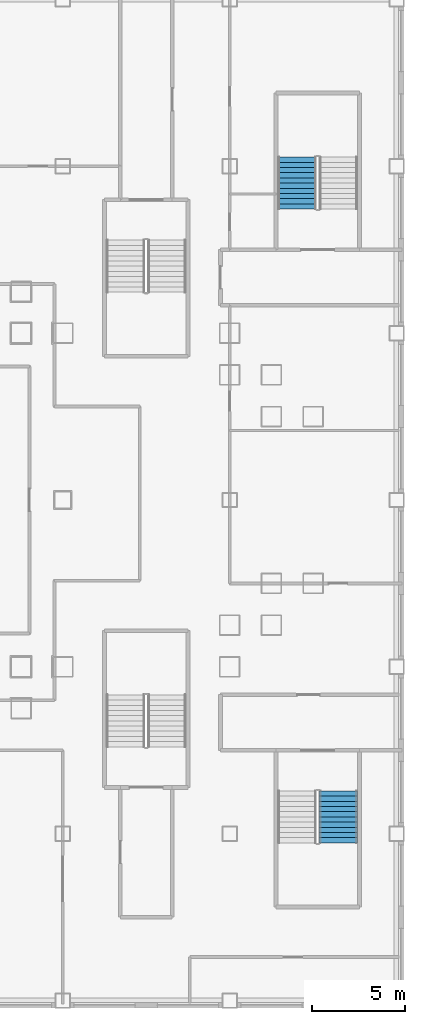
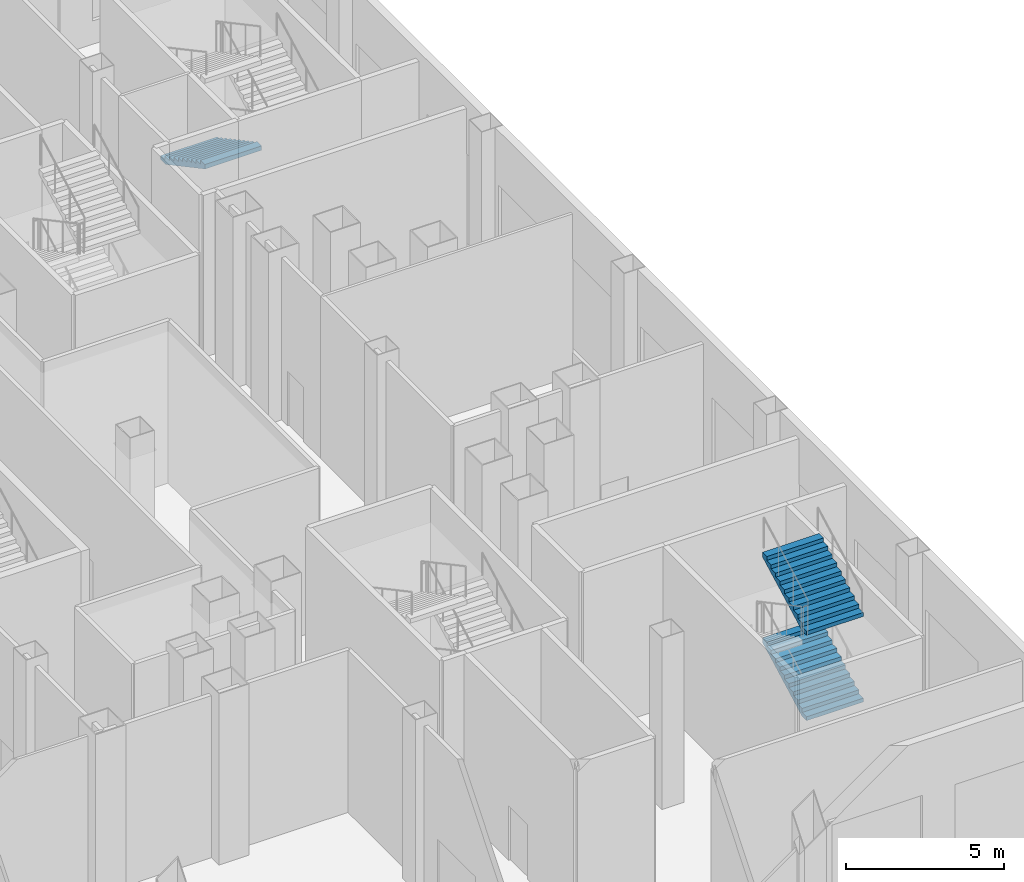
# One storey, part 19 of 26: 3 stair flights, 2 elements without a shape of their own.
"""IFC4 building model written with IfcOpenShell, lengths in metres."""

from ifc_helpers import new_model, si_unit, direction, frame, origin, place, context, subcontext, project, spatial, polygons, material, type_object, element, aggregate, save


model = new_model("IFC4")

# Units and contexts
model_context = context("Model", 3, precision=1e-05, world=origin(), true_north=direction((0.0, 1.0)))
body_context = subcontext(model_context, "Body", "Model", "MODEL_VIEW")
ifc_project = project(units=[si_unit("LENGTHUNIT", "METRE"), si_unit("AREAUNIT", "SQUARE_METRE"), si_unit("VOLUMEUNIT", "CUBIC_METRE"), si_unit("PLANEANGLEUNIT", "RADIAN"), si_unit("MASSUNIT", "GRAM", prefix="KILO")], contexts=[model_context])

# Site, building, storey
site_placement = place(None, origin())
site = spatial("IfcSite", under=ifc_project, at=site_placement, CompositionType="ELEMENT")
building_placement = place(site_placement, origin())
building = spatial("IfcBuilding", under=site, at=building_placement, Name="Caravel Reach Hotel and Residences", CompositionType="ELEMENT")
storey_placement = place(building_placement, frame((0.0, 0.0, 17.39990234375)))
storey = spatial("IfcBuildingStorey", under=building, at=storey_placement, Name="L03", CompositionType="ELEMENT", Elevation=17.39990234375)

# Stair, stair flight
ifc_material_1 = material(Name="Concrete C40", Category="concrete")
stair_type = type_object("IfcStairType", Name="Core stair", PredefinedType="HALF_TURN_STAIR", material=ifc_material_1)
stair_1_placement = place(storey_placement, origin())
stair_1 = element("IfcStair", 1, at=stair_1_placement, inside=storey, type_object=stair_type, Name="L03 Exit stair P6", PredefinedType="HALF_TURN_STAIR")
ifc_material_2 = material(Name="Concrete C40", Category="concrete")
stair_flight_type = type_object("IfcStairFlightType", Name="Core stair flight", PredefinedType="STRAIGHT", material=ifc_material_2)
stair_flight_1_placement = place(storey_placement, frame((62.139892578125, 45.489990234375, 1.650146484375), z_axis=(0.0, 0.0, 1.0), x_axis=(0.0, -1.0, 0.0)))
stair_flight_1 = element("IfcStairFlight", 2, at=stair_flight_1_placement, type_object=stair_flight_type, Name="ST-P6 flight 2", NumberOfRisers=11, NumberOfTreads=10, PredefinedType="STRAIGHT", RiserHeight=0.15, TreadLength=0.28, context=body_context, shape_type="Tessellation", body=[
    polygons([(0.3174408016601862, 1.0350341796875, 0.0), (0.3174408016601862, 0.6900227864583333, 0.0), (0.3174408016601862, 0.34501139322916663, 0.0), (0.3174408016601862, 0.0, 0.0), (0.3174408016601862, -0.34501139322916674, 0.0), (0.3174408016601862, -0.6900227864583333, 0.0), (0.3174408016601862, -1.0350341796875, 0.0), (2.801, 1.0350341796875, 1.329942427682043), (2.801, 0.6900227864583333, 1.329942427682043), (2.801, 0.34501139322916663, 1.329942427682043), (2.801, 0.0, 1.329942427682043), (2.801, -0.34501139322916674, 1.329942427682043), (2.801, -0.6900227864583333, 1.329942427682043), (2.801, -1.0350341796875, 1.329942427682043), (2.801, 1.0350341796875, 1.5), (2.801, 0.6900227864583333, 1.5), (2.801, 0.34501139322916663, 1.5), (2.801, 0.0, 1.5), (2.801, -0.34501139322916674, 1.5), (2.801, -0.6900227864583333, 1.5), (2.801, -1.0350341796875, 1.5), (2.5200000000000005, 1.0350341796875, 1.5), (2.5200000000000005, 0.6900227864583333, 1.5), (2.5200000000000005, 0.34501139322916663, 1.5), (2.5200000000000005, 0.0, 1.5), (2.5200000000000005, -0.34501139322916674, 1.5), (2.5200000000000005, -0.6900227864583333, 1.5), (2.5200000000000005, -1.0350341796875, 1.5), (2.5200000000000005, 1.0350341796875, 1.3499999999999999), (2.5200000000000005, 0.6900227864583333, 1.3499999999999999), (2.5200000000000005, 0.34501139322916663, 1.3499999999999999), (2.5200000000000005, 0.0, 1.3499999999999999), (2.5200000000000005, -0.34501139322916674, 1.3499999999999999), (2.5200000000000005, -0.6900227864583333, 1.3499999999999999), (2.5200000000000005, -1.0350341796875, 1.3499999999999999), (2.24, 1.0350341796875, 1.3499999999999999), (2.24, 0.6900227864583333, 1.3499999999999999), (2.24, 0.34501139322916663, 1.3499999999999999), (2.24, 0.0, 1.3499999999999999), (2.24, -0.34501139322916674, 1.3499999999999999), (2.24, -0.6900227864583333, 1.3499999999999999), (2.24, -1.0350341796875, 1.3499999999999999), (2.24, 1.0350341796875, 1.2), (2.24, 0.6900227864583333, 1.2), (2.24, 0.34501139322916663, 1.2), (2.24, 0.0, 1.2), (2.24, -0.34501139322916674, 1.2), (2.24, -0.6900227864583333, 1.2), (2.24, -1.0350341796875, 1.2), (1.9600000000000002, 1.0350341796875, 1.2), (1.9600000000000002, 0.6900227864583333, 1.2), (1.9600000000000002, 0.34501139322916663, 1.2), (1.9600000000000002, 0.0, 1.2), (1.9600000000000002, -0.34501139322916674, 1.2), (1.9600000000000002, -0.6900227864583333, 1.2), (1.9600000000000002, -1.0350341796875, 1.2), (1.9600000000000002, 1.0350341796875, 1.05), (1.9600000000000002, 0.6900227864583333, 1.05), (1.9600000000000002, 0.34501139322916663, 1.05), (1.9600000000000002, 0.0, 1.05), (1.9600000000000002, -0.34501139322916674, 1.05), (1.9600000000000002, -0.6900227864583333, 1.05), (1.9600000000000002, -1.0350341796875, 1.05), (1.6800000000000002, 1.0350341796875, 1.05), (1.6800000000000002, 0.6900227864583333, 1.05), (1.6800000000000002, 0.34501139322916663, 1.05), (1.6800000000000002, 0.0, 1.05), (1.6800000000000002, -0.34501139322916674, 1.05), (1.6800000000000002, -0.6900227864583333, 1.05), (1.6800000000000002, -1.0350341796875, 1.05), (1.6800000000000002, 1.0350341796875, 0.8999999999999999), (1.6800000000000002, 0.6900227864583333, 0.8999999999999999), (1.6800000000000002, 0.34501139322916663, 0.8999999999999999), (1.6800000000000002, 0.0, 0.8999999999999999), (1.6800000000000002, -0.34501139322916674, 0.8999999999999999), (1.6800000000000002, -0.6900227864583333, 0.8999999999999999), (1.6800000000000002, -1.0350341796875, 0.8999999999999999), (1.4000000000000001, 1.0350341796875, 0.8999999999999999), (1.4000000000000001, 0.6900227864583333, 0.8999999999999999), (1.4000000000000001, 0.34501139322916663, 0.8999999999999999), (1.4000000000000001, 0.0, 0.8999999999999999), (1.4000000000000001, -0.34501139322916674, 0.8999999999999999), (1.4000000000000001, -0.6900227864583333, 0.8999999999999999), (1.4000000000000001, -1.0350341796875, 0.8999999999999999), (1.4000000000000001, 1.0350341796875, 0.75), (1.4000000000000001, 0.6900227864583333, 0.75), (1.4000000000000001, 0.34501139322916663, 0.75), (1.4000000000000001, 0.0, 0.75), (1.4000000000000001, -0.34501139322916674, 0.75), (1.4000000000000001, -0.6900227864583333, 0.75), (1.4000000000000001, -1.0350341796875, 0.75), (1.12, 1.0350341796875, 0.75), (1.12, 0.6900227864583333, 0.75), (1.12, 0.34501139322916663, 0.75), (1.12, 0.0, 0.75), (1.12, -0.34501139322916674, 0.75), (1.12, -0.6900227864583333, 0.75), (1.12, -1.0350341796875, 0.75), (1.12, 1.0350341796875, 0.6), (1.12, 0.6900227864583333, 0.6), (1.12, 0.34501139322916663, 0.6), (1.12, 0.0, 0.6), (1.12, -0.34501139322916674, 0.6), (1.12, -0.6900227864583333, 0.6), (1.12, -1.0350341796875, 0.6), (0.8400000000000001, 1.0350341796875, 0.6), (0.8400000000000001, 0.6900227864583333, 0.6), (0.8400000000000001, 0.34501139322916663, 0.6), (0.8400000000000001, 0.0, 0.6), (0.8400000000000001, -0.34501139322916674, 0.6), (0.8400000000000001, -0.6900227864583333, 0.6), (0.8400000000000001, -1.0350341796875, 0.6), (0.8400000000000001, 1.0350341796875, 0.44999999999999996), (0.8400000000000001, 0.6900227864583333, 0.44999999999999996), (0.8400000000000001, 0.34501139322916663, 0.44999999999999996), (0.8400000000000001, 0.0, 0.44999999999999996), (0.8400000000000001, -0.34501139322916674, 0.44999999999999996), (0.8400000000000001, -0.6900227864583333, 0.44999999999999996), (0.8400000000000001, -1.0350341796875, 0.44999999999999996), (0.56, 1.0350341796875, 0.44999999999999996), (0.56, 0.6900227864583333, 0.44999999999999996), (0.56, 0.34501139322916663, 0.44999999999999996), (0.56, 0.0, 0.44999999999999996), (0.56, -0.34501139322916674, 0.44999999999999996), (0.56, -0.6900227864583333, 0.44999999999999996), (0.56, -1.0350341796875, 0.44999999999999996), (0.56, 1.0350341796875, 0.3), (0.56, 0.6900227864583333, 0.3), (0.56, 0.34501139322916663, 0.3), (0.56, 0.0, 0.3), (0.56, -0.34501139322916674, 0.3), (0.56, -0.6900227864583333, 0.3), (0.56, -1.0350341796875, 0.3), (0.28, 1.0350341796875, 0.3), (0.28, 0.6900227864583333, 0.3), (0.28, 0.34501139322916663, 0.3), (0.28, 0.0, 0.3), (0.28, -0.34501139322916674, 0.3), (0.28, -0.6900227864583333, 0.3), (0.28, -1.0350341796875, 0.3), (0.28, 1.0350341796875, 0.15), (0.28, 0.6900227864583333, 0.15), (0.28, 0.34501139322916663, 0.15), (0.28, 0.0, 0.15), (0.28, -0.34501139322916674, 0.15), (0.28, -0.6900227864583333, 0.15), (0.28, -1.0350341796875, 0.15), (-0.001, 1.0350341796875, 0.15), (-0.001, 0.6900227864583333, 0.15), (-0.001, 0.34501139322916663, 0.15), (-0.001, 0.0, 0.15), (-0.001, -0.34501139322916674, 0.15), (-0.001, -0.6900227864583333, 0.15), (-0.001, -1.0350341796875, 0.15), (-0.001, 1.0350341796875, 0.0), (-0.001, 0.6900227864583333, 0.0), (-0.001, 0.34501139322916663, 0.0), (-0.001, 0.0, 0.0), (-0.001, -0.34501139322916674, 0.0), (-0.001, -0.6900227864583333, 0.0), (-0.001, -1.0350341796875, 0.0)], [[[155, 148, 141, 134, 127, 120, 113, 106, 99, 92, 85, 78, 71, 64, 57, 50, 43, 36, 29, 22, 15, 8, 1]], [[7, 14, 21, 28, 35, 42, 49, 56, 63, 70, 77, 84, 91, 98, 105, 112, 119, 126, 133, 140, 147, 154, 161]], [[1, 8, 9, 2]], [[2, 9, 10, 3]], [[3, 10, 11, 4]], [[4, 11, 12, 5]], [[5, 12, 13, 6]], [[6, 13, 14, 7]], [[8, 15, 16, 9]], [[9, 16, 17, 10]], [[10, 17, 18, 11]], [[11, 18, 19, 12]], [[12, 19, 20, 13]], [[13, 20, 21, 14]], [[15, 22, 23, 16]], [[16, 23, 24, 17]], [[17, 24, 25, 18]], [[18, 25, 26, 19]], [[19, 26, 27, 20]], [[20, 27, 28, 21]], [[22, 29, 30, 23]], [[23, 30, 31, 24]], [[24, 31, 32, 25]], [[25, 32, 33, 26]], [[26, 33, 34, 27]], [[27, 34, 35, 28]], [[29, 36, 37, 30]], [[30, 37, 38, 31]], [[31, 38, 39, 32]], [[32, 39, 40, 33]], [[33, 40, 41, 34]], [[34, 41, 42, 35]], [[36, 43, 44, 37]], [[37, 44, 45, 38]], [[38, 45, 46, 39]], [[39, 46, 47, 40]], [[40, 47, 48, 41]], [[41, 48, 49, 42]], [[43, 50, 51, 44]], [[44, 51, 52, 45]], [[45, 52, 53, 46]], [[46, 53, 54, 47]], [[47, 54, 55, 48]], [[48, 55, 56, 49]], [[50, 57, 58, 51]], [[51, 58, 59, 52]], [[52, 59, 60, 53]], [[53, 60, 61, 54]], [[54, 61, 62, 55]], [[55, 62, 63, 56]], [[57, 64, 65, 58]], [[58, 65, 66, 59]], [[59, 66, 67, 60]], [[60, 67, 68, 61]], [[61, 68, 69, 62]], [[62, 69, 70, 63]], [[64, 71, 72, 65]], [[65, 72, 73, 66]], [[66, 73, 74, 67]], [[67, 74, 75, 68]], [[68, 75, 76, 69]], [[69, 76, 77, 70]], [[71, 78, 79, 72]], [[72, 79, 80, 73]], [[73, 80, 81, 74]], [[74, 81, 82, 75]], [[75, 82, 83, 76]], [[76, 83, 84, 77]], [[78, 85, 86, 79]], [[79, 86, 87, 80]], [[80, 87, 88, 81]], [[81, 88, 89, 82]], [[82, 89, 90, 83]], [[83, 90, 91, 84]], [[85, 92, 93, 86]], [[86, 93, 94, 87]], [[87, 94, 95, 88]], [[88, 95, 96, 89]], [[89, 96, 97, 90]], [[90, 97, 98, 91]], [[92, 99, 100, 93]], [[93, 100, 101, 94]], [[94, 101, 102, 95]], [[95, 102, 103, 96]], [[96, 103, 104, 97]], [[97, 104, 105, 98]], [[99, 106, 107, 100]], [[100, 107, 108, 101]], [[101, 108, 109, 102]], [[102, 109, 110, 103]], [[103, 110, 111, 104]], [[104, 111, 112, 105]], [[106, 113, 114, 107]], [[107, 114, 115, 108]], [[108, 115, 116, 109]], [[109, 116, 117, 110]], [[110, 117, 118, 111]], [[111, 118, 119, 112]], [[113, 120, 121, 114]], [[114, 121, 122, 115]], [[115, 122, 123, 116]], [[116, 123, 124, 117]], [[117, 124, 125, 118]], [[118, 125, 126, 119]], [[120, 127, 128, 121]], [[121, 128, 129, 122]], [[122, 129, 130, 123]], [[123, 130, 131, 124]], [[124, 131, 132, 125]], [[125, 132, 133, 126]], [[127, 134, 135, 128]], [[128, 135, 136, 129]], [[129, 136, 137, 130]], [[130, 137, 138, 131]], [[131, 138, 139, 132]], [[132, 139, 140, 133]], [[134, 141, 142, 135]], [[135, 142, 143, 136]], [[136, 143, 144, 137]], [[137, 144, 145, 138]], [[138, 145, 146, 139]], [[139, 146, 147, 140]], [[141, 148, 149, 142]], [[142, 149, 150, 143]], [[143, 150, 151, 144]], [[144, 151, 152, 145]], [[145, 152, 153, 146]], [[146, 153, 154, 147]], [[148, 155, 156, 149]], [[149, 156, 157, 150]], [[150, 157, 158, 151]], [[151, 158, 159, 152]], [[152, 159, 160, 153]], [[153, 160, 161, 154]], [[155, 1, 2, 156]], [[156, 2, 3, 157]], [[157, 3, 4, 158]], [[158, 4, 5, 159]], [[159, 5, 6, 160]], [[160, 6, 7, 161]]], closed=True),
])
aggregate(stair_1, [stair_flight_1])

# Stair, stair flights
stair_2_placement = place(storey_placement, origin())
stair_2 = element("IfcStair", 3, at=stair_2_placement, inside=storey, type_object=stair_type, Name="L03 Exit stair P7", PredefinedType="HALF_TURN_STAIR")
stair_flight_2_placement = place(storey_placement, frame((64.360107421875, 8.510009765625, 1.650146484375), z_axis=(0.0, 0.0, 1.0), x_axis=(0.0, 1.0, 0.0)))
stair_flight_2 = element("IfcStairFlight", 4, at=stair_flight_2_placement, type_object=stair_flight_type, Name="ST-P7 flight 2", NumberOfRisers=11, NumberOfTreads=10, PredefinedType="STRAIGHT", RiserHeight=0.15, TreadLength=0.28, context=body_context, shape_type="Tessellation", body=[
    polygons([(0.3174408016601862, 1.0350341796875, 0.0), (0.3174408016601862, 0.6900227864583333, 0.0), (0.3174408016601862, 0.34501139322916663, 0.0), (0.3174408016601862, 0.0, 0.0), (0.3174408016601862, -0.34501139322916674, 0.0), (0.3174408016601862, -0.6900227864583333, 0.0), (0.3174408016601862, -1.0350341796875, 0.0), (2.801, 1.0350341796875, 1.329942427682043), (2.801, 0.6900227864583333, 1.329942427682043), (2.801, 0.34501139322916663, 1.329942427682043), (2.801, 0.0, 1.329942427682043), (2.801, -0.34501139322916674, 1.329942427682043), (2.801, -0.6900227864583333, 1.329942427682043), (2.801, -1.0350341796875, 1.329942427682043), (2.801, 1.0350341796875, 1.5), (2.801, 0.6900227864583333, 1.5), (2.801, 0.34501139322916663, 1.5), (2.801, 0.0, 1.5), (2.801, -0.34501139322916674, 1.5), (2.801, -0.6900227864583333, 1.5), (2.801, -1.0350341796875, 1.5), (2.5200000000000005, 1.0350341796875, 1.5), (2.5200000000000005, 0.6900227864583333, 1.5), (2.5200000000000005, 0.34501139322916663, 1.5), (2.5200000000000005, 0.0, 1.5), (2.5200000000000005, -0.34501139322916674, 1.5), (2.5200000000000005, -0.6900227864583333, 1.5), (2.5200000000000005, -1.0350341796875, 1.5), (2.5200000000000005, 1.0350341796875, 1.3499999999999999), (2.5200000000000005, 0.6900227864583333, 1.3499999999999999), (2.5200000000000005, 0.34501139322916663, 1.3499999999999999), (2.5200000000000005, 0.0, 1.3499999999999999), (2.5200000000000005, -0.34501139322916674, 1.3499999999999999), (2.5200000000000005, -0.6900227864583333, 1.3499999999999999), (2.5200000000000005, -1.0350341796875, 1.3499999999999999), (2.24, 1.0350341796875, 1.3499999999999999), (2.24, 0.6900227864583333, 1.3499999999999999), (2.24, 0.34501139322916663, 1.3499999999999999), (2.24, 0.0, 1.3499999999999999), (2.24, -0.34501139322916674, 1.3499999999999999), (2.24, -0.6900227864583333, 1.3499999999999999), (2.24, -1.0350341796875, 1.3499999999999999), (2.24, 1.0350341796875, 1.2), (2.24, 0.6900227864583333, 1.2), (2.24, 0.34501139322916663, 1.2), (2.24, 0.0, 1.2), (2.24, -0.34501139322916674, 1.2), (2.24, -0.6900227864583333, 1.2), (2.24, -1.0350341796875, 1.2), (1.9600000000000002, 1.0350341796875, 1.2), (1.9600000000000002, 0.6900227864583333, 1.2), (1.9600000000000002, 0.34501139322916663, 1.2), (1.9600000000000002, 0.0, 1.2), (1.9600000000000002, -0.34501139322916674, 1.2), (1.9600000000000002, -0.6900227864583333, 1.2), (1.9600000000000002, -1.0350341796875, 1.2), (1.9600000000000002, 1.0350341796875, 1.05), (1.9600000000000002, 0.6900227864583333, 1.05), (1.9600000000000002, 0.34501139322916663, 1.05), (1.9600000000000002, 0.0, 1.05), (1.9600000000000002, -0.34501139322916674, 1.05), (1.9600000000000002, -0.6900227864583333, 1.05), (1.9600000000000002, -1.0350341796875, 1.05), (1.6800000000000002, 1.0350341796875, 1.05), (1.6800000000000002, 0.6900227864583333, 1.05), (1.6800000000000002, 0.34501139322916663, 1.05), (1.6800000000000002, 0.0, 1.05), (1.6800000000000002, -0.34501139322916674, 1.05), (1.6800000000000002, -0.6900227864583333, 1.05), (1.6800000000000002, -1.0350341796875, 1.05), (1.6800000000000002, 1.0350341796875, 0.8999999999999999), (1.6800000000000002, 0.6900227864583333, 0.8999999999999999), (1.6800000000000002, 0.34501139322916663, 0.8999999999999999), (1.6800000000000002, 0.0, 0.8999999999999999), (1.6800000000000002, -0.34501139322916674, 0.8999999999999999), (1.6800000000000002, -0.6900227864583333, 0.8999999999999999), (1.6800000000000002, -1.0350341796875, 0.8999999999999999), (1.4000000000000001, 1.0350341796875, 0.8999999999999999), (1.4000000000000001, 0.6900227864583333, 0.8999999999999999), (1.4000000000000001, 0.34501139322916663, 0.8999999999999999), (1.4000000000000001, 0.0, 0.8999999999999999), (1.4000000000000001, -0.34501139322916674, 0.8999999999999999), (1.4000000000000001, -0.6900227864583333, 0.8999999999999999), (1.4000000000000001, -1.0350341796875, 0.8999999999999999), (1.4000000000000001, 1.0350341796875, 0.75), (1.4000000000000001, 0.6900227864583333, 0.75), (1.4000000000000001, 0.34501139322916663, 0.75), (1.4000000000000001, 0.0, 0.75), (1.4000000000000001, -0.34501139322916674, 0.75), (1.4000000000000001, -0.6900227864583333, 0.75), (1.4000000000000001, -1.0350341796875, 0.75), (1.12, 1.0350341796875, 0.75), (1.12, 0.6900227864583333, 0.75), (1.12, 0.34501139322916663, 0.75), (1.12, 0.0, 0.75), (1.12, -0.34501139322916674, 0.75), (1.12, -0.6900227864583333, 0.75), (1.12, -1.0350341796875, 0.75), (1.12, 1.0350341796875, 0.6), (1.12, 0.6900227864583333, 0.6), (1.12, 0.34501139322916663, 0.6), (1.12, 0.0, 0.6), (1.12, -0.34501139322916674, 0.6), (1.12, -0.6900227864583333, 0.6), (1.12, -1.0350341796875, 0.6), (0.8400000000000001, 1.0350341796875, 0.6), (0.8400000000000001, 0.6900227864583333, 0.6), (0.8400000000000001, 0.34501139322916663, 0.6), (0.8400000000000001, 0.0, 0.6), (0.8400000000000001, -0.34501139322916674, 0.6), (0.8400000000000001, -0.6900227864583333, 0.6), (0.8400000000000001, -1.0350341796875, 0.6), (0.8400000000000001, 1.0350341796875, 0.44999999999999996), (0.8400000000000001, 0.6900227864583333, 0.44999999999999996), (0.8400000000000001, 0.34501139322916663, 0.44999999999999996), (0.8400000000000001, 0.0, 0.44999999999999996), (0.8400000000000001, -0.34501139322916674, 0.44999999999999996), (0.8400000000000001, -0.6900227864583333, 0.44999999999999996), (0.8400000000000001, -1.0350341796875, 0.44999999999999996), (0.56, 1.0350341796875, 0.44999999999999996), (0.56, 0.6900227864583333, 0.44999999999999996), (0.56, 0.34501139322916663, 0.44999999999999996), (0.56, 0.0, 0.44999999999999996), (0.56, -0.34501139322916674, 0.44999999999999996), (0.56, -0.6900227864583333, 0.44999999999999996), (0.56, -1.0350341796875, 0.44999999999999996), (0.56, 1.0350341796875, 0.3), (0.56, 0.6900227864583333, 0.3), (0.56, 0.34501139322916663, 0.3), (0.56, 0.0, 0.3), (0.56, -0.34501139322916674, 0.3), (0.56, -0.6900227864583333, 0.3), (0.56, -1.0350341796875, 0.3), (0.28, 1.0350341796875, 0.3), (0.28, 0.6900227864583333, 0.3), (0.28, 0.34501139322916663, 0.3), (0.28, 0.0, 0.3), (0.28, -0.34501139322916674, 0.3), (0.28, -0.6900227864583333, 0.3), (0.28, -1.0350341796875, 0.3), (0.28, 1.0350341796875, 0.15), (0.28, 0.6900227864583333, 0.15), (0.28, 0.34501139322916663, 0.15), (0.28, 0.0, 0.15), (0.28, -0.34501139322916674, 0.15), (0.28, -0.6900227864583333, 0.15), (0.28, -1.0350341796875, 0.15), (-0.001, 1.0350341796875, 0.15), (-0.001, 0.6900227864583333, 0.15), (-0.001, 0.34501139322916663, 0.15), (-0.001, 0.0, 0.15), (-0.001, -0.34501139322916674, 0.15), (-0.001, -0.6900227864583333, 0.15), (-0.001, -1.0350341796875, 0.15), (-0.001, 1.0350341796875, 0.0), (-0.001, 0.6900227864583333, 0.0), (-0.001, 0.34501139322916663, 0.0), (-0.001, 0.0, 0.0), (-0.001, -0.34501139322916674, 0.0), (-0.001, -0.6900227864583333, 0.0), (-0.001, -1.0350341796875, 0.0)], [[[155, 148, 141, 134, 127, 120, 113, 106, 99, 92, 85, 78, 71, 64, 57, 50, 43, 36, 29, 22, 15, 8, 1]], [[7, 14, 21, 28, 35, 42, 49, 56, 63, 70, 77, 84, 91, 98, 105, 112, 119, 126, 133, 140, 147, 154, 161]], [[1, 8, 9, 2]], [[2, 9, 10, 3]], [[3, 10, 11, 4]], [[4, 11, 12, 5]], [[5, 12, 13, 6]], [[6, 13, 14, 7]], [[8, 15, 16, 9]], [[9, 16, 17, 10]], [[10, 17, 18, 11]], [[11, 18, 19, 12]], [[12, 19, 20, 13]], [[13, 20, 21, 14]], [[15, 22, 23, 16]], [[16, 23, 24, 17]], [[17, 24, 25, 18]], [[18, 25, 26, 19]], [[19, 26, 27, 20]], [[20, 27, 28, 21]], [[22, 29, 30, 23]], [[23, 30, 31, 24]], [[24, 31, 32, 25]], [[25, 32, 33, 26]], [[26, 33, 34, 27]], [[27, 34, 35, 28]], [[29, 36, 37, 30]], [[30, 37, 38, 31]], [[31, 38, 39, 32]], [[32, 39, 40, 33]], [[33, 40, 41, 34]], [[34, 41, 42, 35]], [[36, 43, 44, 37]], [[37, 44, 45, 38]], [[38, 45, 46, 39]], [[39, 46, 47, 40]], [[40, 47, 48, 41]], [[41, 48, 49, 42]], [[43, 50, 51, 44]], [[44, 51, 52, 45]], [[45, 52, 53, 46]], [[46, 53, 54, 47]], [[47, 54, 55, 48]], [[48, 55, 56, 49]], [[50, 57, 58, 51]], [[51, 58, 59, 52]], [[52, 59, 60, 53]], [[53, 60, 61, 54]], [[54, 61, 62, 55]], [[55, 62, 63, 56]], [[57, 64, 65, 58]], [[58, 65, 66, 59]], [[59, 66, 67, 60]], [[60, 67, 68, 61]], [[61, 68, 69, 62]], [[62, 69, 70, 63]], [[64, 71, 72, 65]], [[65, 72, 73, 66]], [[66, 73, 74, 67]], [[67, 74, 75, 68]], [[68, 75, 76, 69]], [[69, 76, 77, 70]], [[71, 78, 79, 72]], [[72, 79, 80, 73]], [[73, 80, 81, 74]], [[74, 81, 82, 75]], [[75, 82, 83, 76]], [[76, 83, 84, 77]], [[78, 85, 86, 79]], [[79, 86, 87, 80]], [[80, 87, 88, 81]], [[81, 88, 89, 82]], [[82, 89, 90, 83]], [[83, 90, 91, 84]], [[85, 92, 93, 86]], [[86, 93, 94, 87]], [[87, 94, 95, 88]], [[88, 95, 96, 89]], [[89, 96, 97, 90]], [[90, 97, 98, 91]], [[92, 99, 100, 93]], [[93, 100, 101, 94]], [[94, 101, 102, 95]], [[95, 102, 103, 96]], [[96, 103, 104, 97]], [[97, 104, 105, 98]], [[99, 106, 107, 100]], [[100, 107, 108, 101]], [[101, 108, 109, 102]], [[102, 109, 110, 103]], [[103, 110, 111, 104]], [[104, 111, 112, 105]], [[106, 113, 114, 107]], [[107, 114, 115, 108]], [[108, 115, 116, 109]], [[109, 116, 117, 110]], [[110, 117, 118, 111]], [[111, 118, 119, 112]], [[113, 120, 121, 114]], [[114, 121, 122, 115]], [[115, 122, 123, 116]], [[116, 123, 124, 117]], [[117, 124, 125, 118]], [[118, 125, 126, 119]], [[120, 127, 128, 121]], [[121, 128, 129, 122]], [[122, 129, 130, 123]], [[123, 130, 131, 124]], [[124, 131, 132, 125]], [[125, 132, 133, 126]], [[127, 134, 135, 128]], [[128, 135, 136, 129]], [[129, 136, 137, 130]], [[130, 137, 138, 131]], [[131, 138, 139, 132]], [[132, 139, 140, 133]], [[134, 141, 142, 135]], [[135, 142, 143, 136]], [[136, 143, 144, 137]], [[137, 144, 145, 138]], [[138, 145, 146, 139]], [[139, 146, 147, 140]], [[141, 148, 149, 142]], [[142, 149, 150, 143]], [[143, 150, 151, 144]], [[144, 151, 152, 145]], [[145, 152, 153, 146]], [[146, 153, 154, 147]], [[148, 155, 156, 149]], [[149, 156, 157, 150]], [[150, 157, 158, 151]], [[151, 158, 159, 152]], [[152, 159, 160, 153]], [[153, 160, 161, 154]], [[155, 1, 2, 156]], [[156, 2, 3, 157]], [[157, 3, 4, 158]], [[158, 4, 5, 159]], [[159, 5, 6, 160]], [[160, 6, 7, 161]]], closed=True),
])
stair_flight_3_placement = place(storey_placement, frame((64.360107421875, 8.510009765625, 4.9501953125), z_axis=(0.0, 0.0, 1.0), x_axis=(0.0, 1.0, 0.0)))
stair_flight_3 = element("IfcStairFlight", 5, at=stair_flight_3_placement, type_object=stair_flight_type, Name="ST-P7 flight 4", NumberOfRisers=11, NumberOfTreads=10, PredefinedType="STRAIGHT", RiserHeight=0.15, TreadLength=0.28, context=body_context, shape_type="Tessellation", body=[
    polygons([(0.3174408016601862, 1.0350341796875, 0.0), (0.3174408016601862, 0.6900227864583333, 0.0), (0.3174408016601862, 0.34501139322916663, 0.0), (0.3174408016601862, 0.0, 0.0), (0.3174408016601862, -0.34501139322916674, 0.0), (0.3174408016601862, -0.6900227864583333, 0.0), (0.3174408016601862, -1.0350341796875, 0.0), (2.801, 1.0350341796875, 1.329942427682043), (2.801, 0.6900227864583333, 1.329942427682043), (2.801, 0.34501139322916663, 1.329942427682043), (2.801, 0.0, 1.329942427682043), (2.801, -0.34501139322916674, 1.329942427682043), (2.801, -0.6900227864583333, 1.329942427682043), (2.801, -1.0350341796875, 1.329942427682043), (2.801, 1.0350341796875, 1.5), (2.801, 0.6900227864583333, 1.5), (2.801, 0.34501139322916663, 1.5), (2.801, 0.0, 1.5), (2.801, -0.34501139322916674, 1.5), (2.801, -0.6900227864583333, 1.5), (2.801, -1.0350341796875, 1.5), (2.5200000000000005, 1.0350341796875, 1.5), (2.5200000000000005, 0.6900227864583333, 1.5), (2.5200000000000005, 0.34501139322916663, 1.5), (2.5200000000000005, 0.0, 1.5), (2.5200000000000005, -0.34501139322916674, 1.5), (2.5200000000000005, -0.6900227864583333, 1.5), (2.5200000000000005, -1.0350341796875, 1.5), (2.5200000000000005, 1.0350341796875, 1.3499999999999999), (2.5200000000000005, 0.6900227864583333, 1.3499999999999999), (2.5200000000000005, 0.34501139322916663, 1.3499999999999999), (2.5200000000000005, 0.0, 1.3499999999999999), (2.5200000000000005, -0.34501139322916674, 1.3499999999999999), (2.5200000000000005, -0.6900227864583333, 1.3499999999999999), (2.5200000000000005, -1.0350341796875, 1.3499999999999999), (2.24, 1.0350341796875, 1.3499999999999999), (2.24, 0.6900227864583333, 1.3499999999999999), (2.24, 0.34501139322916663, 1.3499999999999999), (2.24, 0.0, 1.3499999999999999), (2.24, -0.34501139322916674, 1.3499999999999999), (2.24, -0.6900227864583333, 1.3499999999999999), (2.24, -1.0350341796875, 1.3499999999999999), (2.24, 1.0350341796875, 1.2), (2.24, 0.6900227864583333, 1.2), (2.24, 0.34501139322916663, 1.2), (2.24, 0.0, 1.2), (2.24, -0.34501139322916674, 1.2), (2.24, -0.6900227864583333, 1.2), (2.24, -1.0350341796875, 1.2), (1.9600000000000002, 1.0350341796875, 1.2), (1.9600000000000002, 0.6900227864583333, 1.2), (1.9600000000000002, 0.34501139322916663, 1.2), (1.9600000000000002, 0.0, 1.2), (1.9600000000000002, -0.34501139322916674, 1.2), (1.9600000000000002, -0.6900227864583333, 1.2), (1.9600000000000002, -1.0350341796875, 1.2), (1.9600000000000002, 1.0350341796875, 1.05), (1.9600000000000002, 0.6900227864583333, 1.05), (1.9600000000000002, 0.34501139322916663, 1.05), (1.9600000000000002, 0.0, 1.05), (1.9600000000000002, -0.34501139322916674, 1.05), (1.9600000000000002, -0.6900227864583333, 1.05), (1.9600000000000002, -1.0350341796875, 1.05), (1.6800000000000002, 1.0350341796875, 1.05), (1.6800000000000002, 0.6900227864583333, 1.05), (1.6800000000000002, 0.34501139322916663, 1.05), (1.6800000000000002, 0.0, 1.05), (1.6800000000000002, -0.34501139322916674, 1.05), (1.6800000000000002, -0.6900227864583333, 1.05), (1.6800000000000002, -1.0350341796875, 1.05), (1.6800000000000002, 1.0350341796875, 0.8999999999999999), (1.6800000000000002, 0.6900227864583333, 0.8999999999999999), (1.6800000000000002, 0.34501139322916663, 0.8999999999999999), (1.6800000000000002, 0.0, 0.8999999999999999), (1.6800000000000002, -0.34501139322916674, 0.8999999999999999), (1.6800000000000002, -0.6900227864583333, 0.8999999999999999), (1.6800000000000002, -1.0350341796875, 0.8999999999999999), (1.4000000000000001, 1.0350341796875, 0.8999999999999999), (1.4000000000000001, 0.6900227864583333, 0.8999999999999999), (1.4000000000000001, 0.34501139322916663, 0.8999999999999999), (1.4000000000000001, 0.0, 0.8999999999999999), (1.4000000000000001, -0.34501139322916674, 0.8999999999999999), (1.4000000000000001, -0.6900227864583333, 0.8999999999999999), (1.4000000000000001, -1.0350341796875, 0.8999999999999999), (1.4000000000000001, 1.0350341796875, 0.75), (1.4000000000000001, 0.6900227864583333, 0.75), (1.4000000000000001, 0.34501139322916663, 0.75), (1.4000000000000001, 0.0, 0.75), (1.4000000000000001, -0.34501139322916674, 0.75), (1.4000000000000001, -0.6900227864583333, 0.75), (1.4000000000000001, -1.0350341796875, 0.75), (1.12, 1.0350341796875, 0.75), (1.12, 0.6900227864583333, 0.75), (1.12, 0.34501139322916663, 0.75), (1.12, 0.0, 0.75), (1.12, -0.34501139322916674, 0.75), (1.12, -0.6900227864583333, 0.75), (1.12, -1.0350341796875, 0.75), (1.12, 1.0350341796875, 0.6), (1.12, 0.6900227864583333, 0.6), (1.12, 0.34501139322916663, 0.6), (1.12, 0.0, 0.6), (1.12, -0.34501139322916674, 0.6), (1.12, -0.6900227864583333, 0.6), (1.12, -1.0350341796875, 0.6), (0.8400000000000001, 1.0350341796875, 0.6), (0.8400000000000001, 0.6900227864583333, 0.6), (0.8400000000000001, 0.34501139322916663, 0.6), (0.8400000000000001, 0.0, 0.6), (0.8400000000000001, -0.34501139322916674, 0.6), (0.8400000000000001, -0.6900227864583333, 0.6), (0.8400000000000001, -1.0350341796875, 0.6), (0.8400000000000001, 1.0350341796875, 0.44999999999999996), (0.8400000000000001, 0.6900227864583333, 0.44999999999999996), (0.8400000000000001, 0.34501139322916663, 0.44999999999999996), (0.8400000000000001, 0.0, 0.44999999999999996), (0.8400000000000001, -0.34501139322916674, 0.44999999999999996), (0.8400000000000001, -0.6900227864583333, 0.44999999999999996), (0.8400000000000001, -1.0350341796875, 0.44999999999999996), (0.56, 1.0350341796875, 0.44999999999999996), (0.56, 0.6900227864583333, 0.44999999999999996), (0.56, 0.34501139322916663, 0.44999999999999996), (0.56, 0.0, 0.44999999999999996), (0.56, -0.34501139322916674, 0.44999999999999996), (0.56, -0.6900227864583333, 0.44999999999999996), (0.56, -1.0350341796875, 0.44999999999999996), (0.56, 1.0350341796875, 0.3), (0.56, 0.6900227864583333, 0.3), (0.56, 0.34501139322916663, 0.3), (0.56, 0.0, 0.3), (0.56, -0.34501139322916674, 0.3), (0.56, -0.6900227864583333, 0.3), (0.56, -1.0350341796875, 0.3), (0.28, 1.0350341796875, 0.3), (0.28, 0.6900227864583333, 0.3), (0.28, 0.34501139322916663, 0.3), (0.28, 0.0, 0.3), (0.28, -0.34501139322916674, 0.3), (0.28, -0.6900227864583333, 0.3), (0.28, -1.0350341796875, 0.3), (0.28, 1.0350341796875, 0.15), (0.28, 0.6900227864583333, 0.15), (0.28, 0.34501139322916663, 0.15), (0.28, 0.0, 0.15), (0.28, -0.34501139322916674, 0.15), (0.28, -0.6900227864583333, 0.15), (0.28, -1.0350341796875, 0.15), (-0.001, 1.0350341796875, 0.15), (-0.001, 0.6900227864583333, 0.15), (-0.001, 0.34501139322916663, 0.15), (-0.001, 0.0, 0.15), (-0.001, -0.34501139322916674, 0.15), (-0.001, -0.6900227864583333, 0.15), (-0.001, -1.0350341796875, 0.15), (-0.001, 1.0350341796875, 0.0), (-0.001, 0.6900227864583333, 0.0), (-0.001, 0.34501139322916663, 0.0), (-0.001, 0.0, 0.0), (-0.001, -0.34501139322916674, 0.0), (-0.001, -0.6900227864583333, 0.0), (-0.001, -1.0350341796875, 0.0)], [[[155, 148, 141, 134, 127, 120, 113, 106, 99, 92, 85, 78, 71, 64, 57, 50, 43, 36, 29, 22, 15, 8, 1]], [[7, 14, 21, 28, 35, 42, 49, 56, 63, 70, 77, 84, 91, 98, 105, 112, 119, 126, 133, 140, 147, 154, 161]], [[1, 8, 9, 2]], [[2, 9, 10, 3]], [[3, 10, 11, 4]], [[4, 11, 12, 5]], [[5, 12, 13, 6]], [[6, 13, 14, 7]], [[8, 15, 16, 9]], [[9, 16, 17, 10]], [[10, 17, 18, 11]], [[11, 18, 19, 12]], [[12, 19, 20, 13]], [[13, 20, 21, 14]], [[15, 22, 23, 16]], [[16, 23, 24, 17]], [[17, 24, 25, 18]], [[18, 25, 26, 19]], [[19, 26, 27, 20]], [[20, 27, 28, 21]], [[22, 29, 30, 23]], [[23, 30, 31, 24]], [[24, 31, 32, 25]], [[25, 32, 33, 26]], [[26, 33, 34, 27]], [[27, 34, 35, 28]], [[29, 36, 37, 30]], [[30, 37, 38, 31]], [[31, 38, 39, 32]], [[32, 39, 40, 33]], [[33, 40, 41, 34]], [[34, 41, 42, 35]], [[36, 43, 44, 37]], [[37, 44, 45, 38]], [[38, 45, 46, 39]], [[39, 46, 47, 40]], [[40, 47, 48, 41]], [[41, 48, 49, 42]], [[43, 50, 51, 44]], [[44, 51, 52, 45]], [[45, 52, 53, 46]], [[46, 53, 54, 47]], [[47, 54, 55, 48]], [[48, 55, 56, 49]], [[50, 57, 58, 51]], [[51, 58, 59, 52]], [[52, 59, 60, 53]], [[53, 60, 61, 54]], [[54, 61, 62, 55]], [[55, 62, 63, 56]], [[57, 64, 65, 58]], [[58, 65, 66, 59]], [[59, 66, 67, 60]], [[60, 67, 68, 61]], [[61, 68, 69, 62]], [[62, 69, 70, 63]], [[64, 71, 72, 65]], [[65, 72, 73, 66]], [[66, 73, 74, 67]], [[67, 74, 75, 68]], [[68, 75, 76, 69]], [[69, 76, 77, 70]], [[71, 78, 79, 72]], [[72, 79, 80, 73]], [[73, 80, 81, 74]], [[74, 81, 82, 75]], [[75, 82, 83, 76]], [[76, 83, 84, 77]], [[78, 85, 86, 79]], [[79, 86, 87, 80]], [[80, 87, 88, 81]], [[81, 88, 89, 82]], [[82, 89, 90, 83]], [[83, 90, 91, 84]], [[85, 92, 93, 86]], [[86, 93, 94, 87]], [[87, 94, 95, 88]], [[88, 95, 96, 89]], [[89, 96, 97, 90]], [[90, 97, 98, 91]], [[92, 99, 100, 93]], [[93, 100, 101, 94]], [[94, 101, 102, 95]], [[95, 102, 103, 96]], [[96, 103, 104, 97]], [[97, 104, 105, 98]], [[99, 106, 107, 100]], [[100, 107, 108, 101]], [[101, 108, 109, 102]], [[102, 109, 110, 103]], [[103, 110, 111, 104]], [[104, 111, 112, 105]], [[106, 113, 114, 107]], [[107, 114, 115, 108]], [[108, 115, 116, 109]], [[109, 116, 117, 110]], [[110, 117, 118, 111]], [[111, 118, 119, 112]], [[113, 120, 121, 114]], [[114, 121, 122, 115]], [[115, 122, 123, 116]], [[116, 123, 124, 117]], [[117, 124, 125, 118]], [[118, 125, 126, 119]], [[120, 127, 128, 121]], [[121, 128, 129, 122]], [[122, 129, 130, 123]], [[123, 130, 131, 124]], [[124, 131, 132, 125]], [[125, 132, 133, 126]], [[127, 134, 135, 128]], [[128, 135, 136, 129]], [[129, 136, 137, 130]], [[130, 137, 138, 131]], [[131, 138, 139, 132]], [[132, 139, 140, 133]], [[134, 141, 142, 135]], [[135, 142, 143, 136]], [[136, 143, 144, 137]], [[137, 144, 145, 138]], [[138, 145, 146, 139]], [[139, 146, 147, 140]], [[141, 148, 149, 142]], [[142, 149, 150, 143]], [[143, 150, 151, 144]], [[144, 151, 152, 145]], [[145, 152, 153, 146]], [[146, 153, 154, 147]], [[148, 155, 156, 149]], [[149, 156, 157, 150]], [[150, 157, 158, 151]], [[151, 158, 159, 152]], [[152, 159, 160, 153]], [[153, 160, 161, 154]], [[155, 1, 2, 156]], [[156, 2, 3, 157]], [[157, 3, 4, 158]], [[158, 4, 5, 159]], [[159, 5, 6, 160]], [[160, 6, 7, 161]]], closed=True),
])
aggregate(stair_2, [stair_flight_2, stair_flight_3])

save(model, "model.ifc")
